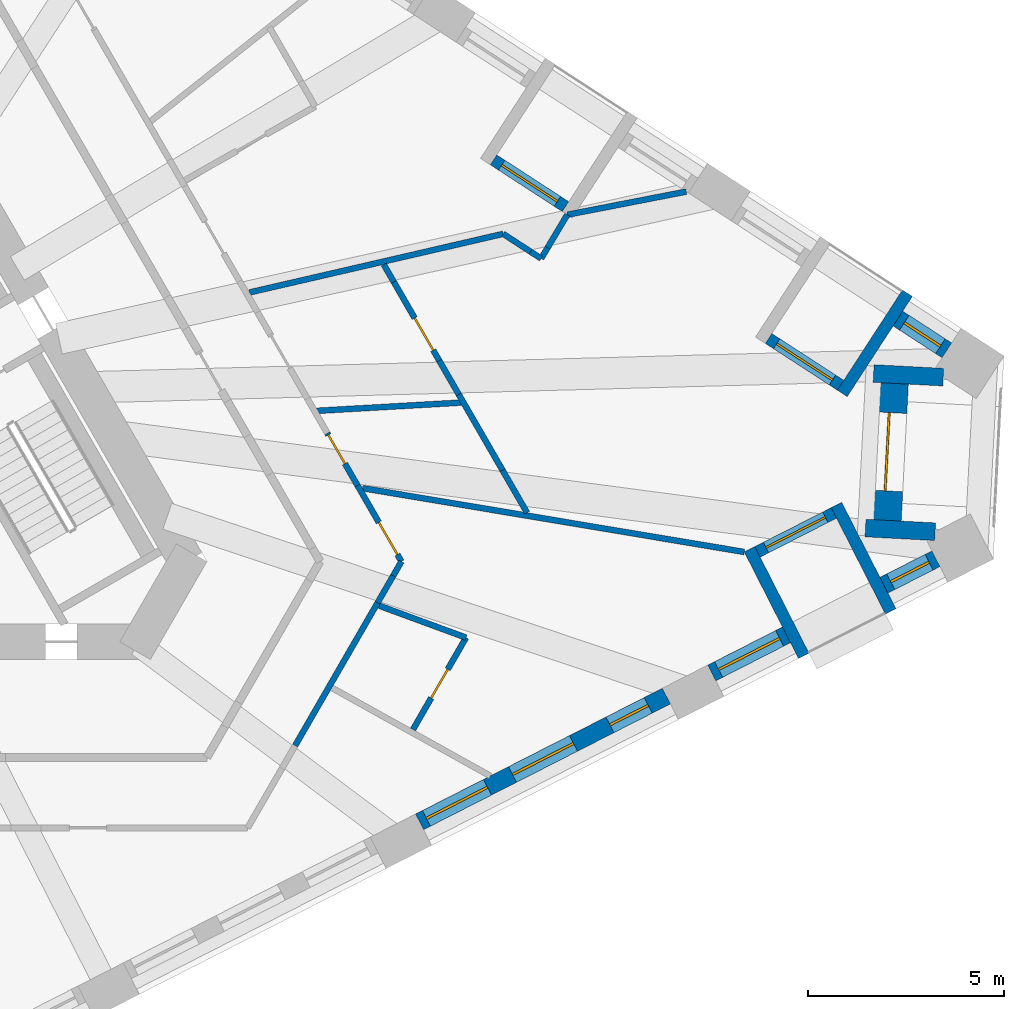
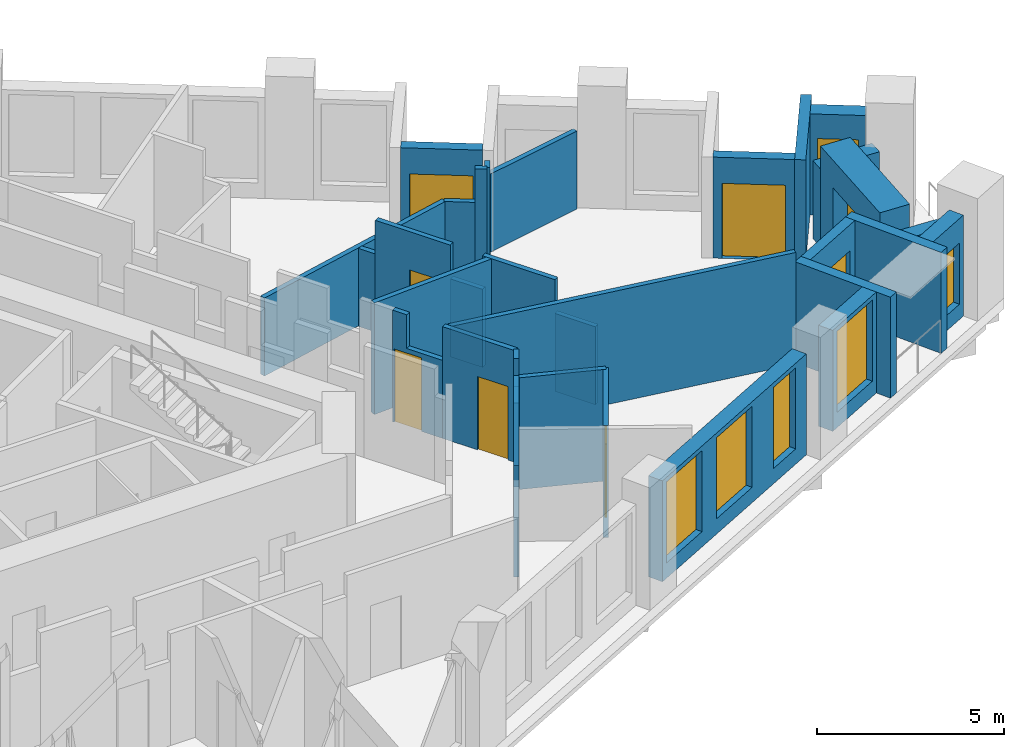
# One storey, part 6 of 13: 33 walls, 8 doors, 6 windows, 14 openings.
"""IFC4 building model written with IfcOpenShell, lengths in metres."""

from ifc_helpers import new_model, si_unit, direction, frame, frame_2d, origin, place, context, subcontext, project, spatial, polyline, rectangle, outline, extrude, material, layer, layer_set, type_object, element, fill, save


model = new_model("IFC4")

# Units and contexts
model_context = context("Model", 3, precision=1e-05, world=origin(), true_north=direction((0.0, 1.0)))
body_context = subcontext(model_context, "Body", "Model", "MODEL_VIEW")
ifc_project = project(units=[si_unit("LENGTHUNIT", "METRE"), si_unit("AREAUNIT", "SQUARE_METRE"), si_unit("VOLUMEUNIT", "CUBIC_METRE"), si_unit("PLANEANGLEUNIT", "RADIAN"), si_unit("MASSUNIT", "GRAM", prefix="KILO")], contexts=[model_context])

# Site, building, storey
site_placement = place(None, origin())
site = spatial("IfcSite", under=ifc_project, at=site_placement, CompositionType="ELEMENT")
building_placement = place(site_placement, origin())
building = spatial("IfcBuilding", under=site, at=building_placement, Name="Tramontana Tower", CompositionType="ELEMENT")
storey_placement = place(building_placement, frame((0.0, 0.0, 137.60009765625)))
storey = spatial("IfcBuildingStorey", under=building, at=storey_placement, Name="L31", CompositionType="ELEMENT", Elevation=137.60009765625)

# Wall, openings, windows
ifc_material_1 = material(Name="Precast concrete 60 MPa", Category="concrete")
ifc_layer_1 = layer(ifc_material_1, 0.449951171875)
ifc_layer_set_1 = layer_set([ifc_layer_1], Name="Precast concrete 60 MPa, 450 mm")
wall_type_1 = type_object("IfcWallType", Name="EW1 Stone-faced precast wall 450", PredefinedType="SOLIDWALL", material=ifc_layer_set_1)
wall_1_placement = place(storey_placement, frame((15.6767578125, -10.8955078125, 0.0), z_axis=(0.0, 0.0, 1.0), x_axis=(0.891004189171, 0.45399508244, 0.0)))
wall_1 = element("IfcWall", 1, at=wall_1_placement, inside=storey, type_object=wall_type_1, Name="External wall L31 face 1 bay 5", PredefinedType="SOLIDWALL", context=body_context, shape_type="SweptSolid", body=[
    extrude(rectangle(XDim=7.071533203125, YDim=0.449951171875, at=frame_2d((3.53564453125, 0.0))), origin(), (0.0, 0.0, 1.0), 3.2998046875),
])
opening_1_placement = place(wall_1_placement, frame((0.1953125, 0.0, 0.5)))
opening_1 = element("IfcOpeningElement", 2, at=opening_1_placement, cuts=wall_1, Name="Opening M2", PredefinedType="OPENING", context=body_context, shape_type="SweptSolid", body=[
    extrude(rectangle(XDim=1.75, YDim=2.64990234375, at=frame_2d((0.875, 1.324951171875))), frame((0.0, 0.23486328125, 0.0), z_axis=(0.0, -1.0, 0.0), x_axis=(1.0, 0.0, 0.0)), (0.0, 0.0, 1.0), 0.469970703125),
])
opening_2_placement = place(wall_1_placement, frame((2.660888671875, 0.0, 0.5)))
opening_2 = element("IfcOpeningElement", 3, at=opening_2_placement, cuts=wall_1, Name="Opening M2", PredefinedType="OPENING", context=body_context, shape_type="SweptSolid", body=[
    extrude(rectangle(XDim=1.75, YDim=2.64990234375, at=frame_2d((0.875, 1.324951171875))), frame((0.0, 0.23486328125, 0.0), z_axis=(0.0, -1.0, 0.0), x_axis=(1.0, 0.0, 0.0)), (0.0, 0.0, 1.0), 0.469970703125),
])
opening_3_placement = place(wall_1_placement, frame((5.451416015625, 0.0, 0.5)))
opening_3 = element("IfcOpeningElement", 4, at=opening_3_placement, cuts=wall_1, Name="Opening N2", PredefinedType="OPENING", context=body_context, shape_type="SweptSolid", body=[
    extrude(rectangle(XDim=1.10009765625, YDim=2.64990234375, at=frame_2d((0.550048828125, 1.324951171875))), frame((0.0, 0.23486328125, 0.0), z_axis=(0.0, -1.0, 0.0), x_axis=(1.0, 0.0, 0.0)), (0.0, 0.0, 1.0), 0.469970703125),
])
ifc_material_2 = material(Name="Aluminum frame, double glazing unit", Category="aluminium")
window_type_1 = type_object("IfcWindowType", Name="M2 Window 1.75 x 2.65", PartitioningType="SINGLE_PANEL", PredefinedType="WINDOW", material=ifc_material_2)
window_1_placement = place(opening_1_placement, origin())
window_1 = element("IfcWindow", 5, at=window_1_placement, inside=storey, type_object=window_type_1, Name="Window M2 L31 face 1 module 13", OverallHeight=2.64990234375, OverallWidth=1.75, PartitioningType="SINGLE_PANEL", PredefinedType="WINDOW", context=body_context, shape_type="SweptSolid", body=[
    extrude(rectangle(XDim=1.75, YDim=2.64990234375, at=frame_2d((0.875, 1.324951171875))), frame((0.0, 0.030029296875, 0.0), z_axis=(0.0, -1.0, 0.0), x_axis=(1.0, 0.0, 0.0)), (0.0, 0.0, 1.0), 0.06005859375),
])
fill(opening_1, window_1)
window_2_placement = place(opening_2_placement, origin())
window_2 = element("IfcWindow", 6, at=window_2_placement, inside=storey, type_object=window_type_1, Name="Window M2 L31 face 1 module 14", OverallHeight=2.64990234375, OverallWidth=1.75, PartitioningType="SINGLE_PANEL", PredefinedType="WINDOW", context=body_context, shape_type="SweptSolid", body=[
    extrude(rectangle(XDim=1.75, YDim=2.64990234375, at=frame_2d((0.875, 1.324951171875))), frame((0.0, 0.030029296875, 0.0), z_axis=(0.0, -1.0, 0.0), x_axis=(1.0, 0.0, 0.0)), (0.0, 0.0, 1.0), 0.06005859375),
])
fill(opening_2, window_2)
ifc_material_3 = material(Name="Aluminum frame, double glazing unit", Category="aluminium")
window_type_2 = type_object("IfcWindowType", Name="N2 Window 1.1 x 2.65", PartitioningType="SINGLE_PANEL", PredefinedType="WINDOW", material=ifc_material_3)
window_3_placement = place(opening_3_placement, origin())
window_3 = element("IfcWindow", 7, at=window_3_placement, inside=storey, type_object=window_type_2, Name="Window N2 L31 face 1 module 15", OverallHeight=2.64990234375, OverallWidth=1.10009765625, PartitioningType="SINGLE_PANEL", PredefinedType="WINDOW", context=body_context, shape_type="SweptSolid", body=[
    extrude(rectangle(XDim=1.10009765625, YDim=2.64990234375, at=frame_2d((0.550048828125, 1.324951171875))), frame((0.0, 0.030029296875, 0.0), z_axis=(0.0, -1.0, 0.0), x_axis=(1.0, 0.0, 0.0)), (0.0, 0.0, 1.0), 0.06005859375),
])
fill(opening_3, window_3)

# Wall, opening, window
wall_2_placement = place(storey_placement, frame((23.1357421875, -7.094970703125, 0.0), z_axis=(0.0, 0.0, 1.0), x_axis=(0.890979432498, 0.454043666254, 0.0)))
wall_2 = element("IfcWall", 8, at=wall_2_placement, inside=storey, type_object=wall_type_1, Name="External wall L31 face 1 bay 6", PredefinedType="SOLIDWALL", context=body_context, shape_type="SweptSolid", body=[
    extrude(rectangle(XDim=2.140625, YDim=0.449951171875, at=frame_2d((1.0703125, 0.0))), origin(), (0.0, 0.0, 1.0), 3.2998046875),
])
opening_4_placement = place(wall_2_placement, frame((0.1953125, 0.0, 0.5)))
opening_4 = element("IfcOpeningElement", 9, at=opening_4_placement, cuts=wall_2, Name="Opening M2", PredefinedType="OPENING", context=body_context, shape_type="SweptSolid", body=[
    extrude(rectangle(XDim=1.75, YDim=2.64990234375, at=frame_2d((0.875, 1.324951171875))), frame((0.0, 0.23486328125, 0.0), z_axis=(0.0, -1.0, 0.0), x_axis=(1.0, 0.0, 0.0)), (0.0, 0.0, 1.0), 0.469970703125),
])
window_4_placement = place(opening_4_placement, origin())
window_4 = element("IfcWindow", 10, at=window_4_placement, inside=storey, type_object=window_type_1, Name="Window M2 L31 face 1 module 16", OverallHeight=2.64990234375, OverallWidth=1.75, PartitioningType="SINGLE_PANEL", PredefinedType="WINDOW", context=body_context, shape_type="SweptSolid", body=[
    extrude(rectangle(XDim=1.75, YDim=2.64990234375, at=frame_2d((0.875, 1.324951171875))), frame((0.0, 0.030029296875, 0.0), z_axis=(0.0, -1.0, 0.0), x_axis=(1.0, 0.0, 0.0)), (0.0, 0.0, 1.0), 0.06005859375),
])
fill(opening_4, window_4)

wall_3_placement = place(storey_placement, frame((27.529296875, -4.856201171875, 0.0), z_axis=(0.0, 0.0, 1.0), x_axis=(0.890994495378, 0.454014106836, 0.0)))
wall_3 = element("IfcWall", 11, at=wall_3_placement, inside=storey, type_object=wall_type_1, Name="External wall L31 face 1 bay 6", PredefinedType="SOLIDWALL", context=body_context, shape_type="SweptSolid", body=[
    extrude(rectangle(XDim=1.49072265625, YDim=0.449951171875, at=frame_2d((0.745361328125, 0.0))), origin(), (0.0, 0.0, 1.0), 3.2998046875),
])
opening_5_placement = place(wall_3_placement, frame((0.1953125, 0.0, 0.5)))
opening_5 = element("IfcOpeningElement", 12, at=opening_5_placement, cuts=wall_3, Name="Opening N2L", PredefinedType="OPENING", context=body_context, shape_type="SweptSolid", body=[
    extrude(rectangle(XDim=1.10009765625, YDim=2.0, at=frame_2d((0.550048828125, 1.0))), frame((0.0, 0.23486328125, 0.0), z_axis=(0.0, -1.0, 0.0), x_axis=(1.0, 0.0, 0.0)), (0.0, 0.0, 1.0), 0.469970703125),
])
ifc_material_4 = material(Name="Aluminum frame, double glazing unit", Category="aluminium")
window_type_3 = type_object("IfcWindowType", Name="N2L Window 1.1 x 2", PartitioningType="SINGLE_PANEL", PredefinedType="WINDOW", material=ifc_material_4)
window_5_placement = place(opening_5_placement, origin())
window_5 = element("IfcWindow", 13, at=window_5_placement, inside=storey, type_object=window_type_3, Name="Window N2L L31 face 1 module 18", OverallHeight=2.0, OverallWidth=1.10009765625, PartitioningType="SINGLE_PANEL", PredefinedType="WINDOW", context=body_context, shape_type="SweptSolid", body=[
    extrude(rectangle(XDim=1.10009765625, YDim=2.0, at=frame_2d((0.550048828125, 1.0))), frame((0.0, 0.030029296875, 0.0), z_axis=(0.0, -1.0, 0.0), x_axis=(1.0, 0.0, 0.0)), (0.0, 0.0, 1.0), 0.06005859375),
])
fill(opening_5, window_5)

wall_4_placement = place(storey_placement, frame((29.13623046875, 1.14013671875, 0.0), z_axis=(0.0, 0.0, 1.0), x_axis=(-0.838668089672, 0.544642851203, 0.0)))
wall_4 = element("IfcWall", 14, at=wall_4_placement, inside=storey, type_object=wall_type_1, Name="External wall L31 face 2 bay 1", PredefinedType="SOLIDWALL", context=body_context, shape_type="SweptSolid", body=[
    extrude(rectangle(XDim=1.490478515625, YDim=0.449951171875, at=frame_2d((0.7451171875, 0.0))), origin(), (0.0, 0.0, 1.0), 3.2998046875),
])
opening_6_placement = place(wall_4_placement, frame((0.1953125, 0.0, 0.5)))
opening_6 = element("IfcOpeningElement", 15, at=opening_6_placement, cuts=wall_4, Name="Opening N2L", PredefinedType="OPENING", context=body_context, shape_type="SweptSolid", body=[
    extrude(rectangle(XDim=1.10009765625, YDim=2.0, at=frame_2d((0.550048828125, 1.0))), frame((0.0, 0.23486328125, 0.0), z_axis=(0.0, -1.0, 0.0), x_axis=(1.0, 0.0, 0.0)), (0.0, 0.0, 1.0), 0.469970703125),
])
window_6_placement = place(opening_6_placement, origin())
window_6 = element("IfcWindow", 16, at=window_6_placement, inside=storey, type_object=window_type_3, Name="Window N2L L31 face 2 module 1", OverallHeight=2.0, OverallWidth=1.10009765625, PartitioningType="SINGLE_PANEL", PredefinedType="WINDOW", context=body_context, shape_type="SweptSolid", body=[
    extrude(rectangle(XDim=1.10009765625, YDim=2.0, at=frame_2d((0.550048828125, 1.0))), frame((0.0, 0.030029296875, 0.0), z_axis=(0.0, -1.0, 0.0), x_axis=(1.0, 0.0, 0.0)), (0.0, 0.0, 1.0), 0.06005859375),
])
fill(opening_6, window_6)

# Walls
for number, where, z_axis, x_axis, name in (
    (17, (29.04296875, 0.45556640625, 0.0), (0.0, 0.0, 1.0), (-0.998625399692, 0.05241479839, 0.0), "Corner loggia side wall L31 K32l"),
    (18, (28.836181640625, -3.489013671875, 0.0), (0.0, 0.0, 1.0), (-0.998625399692, 0.05241479839, 0.0), "Corner loggia side wall L31 K32r"),
):
    element("IfcWall", number, at=place(storey_placement, frame(where, z_axis=z_axis, x_axis=x_axis)), inside=storey, type_object=wall_type_1, Name=name, PredefinedType="SOLIDWALL", context=body_context, shape_type="SweptSolid", body=[
        extrude(rectangle(XDim=1.779296875, YDim=0.449951171875, at=frame_2d((0.8896484375, 0.0))), origin(), (0.0, 0.0, 1.0), 2.5498046875),
    ])

# Wall, opening, door
ifc_material_5 = material(Name="Precast concrete 60 MPa", Category="concrete")
ifc_layer_2 = layer(ifc_material_5, 0.89990234375)
ifc_layer_set_2 = layer_set([ifc_layer_2], Name="EW2 Stone-faced corner loggia wall 900")
wall_type_2 = type_object("IfcWallType", Name="EW2 Stone-faced corner loggia wall 900", PredefinedType="SOLIDWALL", material=ifc_layer_set_2)
wall_5_placement = place(storey_placement, frame((27.70361328125, 0.300537109375, 0.0), z_axis=(0.0, 0.0, 1.0), x_axis=(-0.052317189757, -0.998630518088, 0.0)))
wall_5 = element("IfcWall", 19, at=wall_5_placement, inside=storey, type_object=wall_type_2, Name="Corner loggia wall L31 K32", PredefinedType="SOLIDWALL", context=body_context, shape_type="SweptSolid", body=[
    extrude(rectangle(XDim=3.5, YDim=0.89990234375, at=frame_2d((1.75, 0.0))), origin(), (0.0, 0.0, 1.0), 3.2998046875),
])
opening_7_placement = place(wall_5_placement, frame((0.75, 0.0, 0.0)))
opening_7 = element("IfcOpeningElement", 20, at=opening_7_placement, cuts=wall_5, Name="Opening BD-32C", PredefinedType="OPENING", context=body_context, shape_type="SweptSolid", body=[
    extrude(rectangle(XDim=2.0, YDim=2.39990234375, at=frame_2d((1.0, 1.199951171875))), frame((0.0, 0.4599609375, 0.0), z_axis=(0.0, -1.0, 0.0), x_axis=(1.0, 0.0, 0.0)), (0.0, 0.0, 1.0), 0.919921875),
])
ifc_material_6 = material(Name="Aluminum frame, double glazing unit", Category="aluminium")
door_type_1 = type_object("IfcDoorType", Name="BC1 Sliding door 2 x 2.4", OperationType="SLIDING_TO_LEFT", PredefinedType="DOOR", material=ifc_material_6)
door_1_placement = place(opening_7_placement, origin())
door_1 = element("IfcDoor", 21, at=door_1_placement, inside=storey, type_object=door_type_1, Name="Corner loggia door L31 K32", OperationType="SLIDING_TO_LEFT", OverallHeight=2.39990234375, OverallWidth=2.0, PredefinedType="DOOR", context=body_context, shape_type="SweptSolid", body=[
    extrude(rectangle(XDim=2.0, YDim=2.39990234375, at=frame_2d((1.0, 1.199951171875))), frame((0.0, 0.02490234375, 0.0), z_axis=(0.0, -1.0, 0.0), x_axis=(1.0, 0.0, 0.0)), (0.0, 0.0, 1.0), 0.050048828125),
])
fill(opening_7, door_1)

ifc_material_7 = material(Name="Precast concrete 60 MPa", Category="concrete")
ifc_layer_3 = layer(ifc_material_7, 0.300048828125)
ifc_layer_set_3 = layer_set([ifc_layer_3], Name="LW1 Stone-faced loggia wall 300")
wall_type_3 = type_object("IfcWallType", Name="LW1 Stone-faced loggia wall 300", PredefinedType="SOLIDWALL", material=ifc_layer_set_3)
wall_6_placement = place(storey_placement, frame((24.30029296875, -4.00439453125, 0.0), z_axis=(0.0, 0.0, 1.0), x_axis=(0.891013126725, 0.4539775413, 0.0)))
wall_6 = element("IfcWall", 22, at=wall_6_placement, inside=storey, type_object=wall_type_3, Name="Loggia wall L31 G3S1.16", PredefinedType="SOLIDWALL", context=body_context, shape_type="SweptSolid", body=[
    extrude(rectangle(XDim=2.1904296875, YDim=0.300048828125, at=frame_2d((1.09521484375, 0.0))), origin(), (0.0, 0.0, 1.0), 3.2998046875),
])
opening_8_placement = place(wall_6_placement, frame((0.245361328125, 0.0, 0.0)))
opening_8 = element("IfcOpeningElement", 23, at=opening_8_placement, cuts=wall_6, Name="Opening BD-3S1-16", PredefinedType="OPENING", context=body_context, shape_type="SweptSolid", body=[
    extrude(rectangle(XDim=1.699951171875, YDim=2.449951171875, at=frame_2d((0.85009765625, 1.22509765625))), frame((0.0, 0.159912109375, 0.0), z_axis=(0.0, -1.0, 0.0), x_axis=(1.0, 0.0, 0.0)), (0.0, 0.0, 1.0), 0.320068359375),
])
ifc_material_8 = material(Name="Aluminum frame, double glazing unit", Category="aluminium")
door_type_2 = type_object("IfcDoorType", Name="BD2 Sliding door 1.7 x 2.45", OperationType="SLIDING_TO_LEFT", PredefinedType="DOOR", material=ifc_material_8)
door_2_placement = place(opening_8_placement, origin())
door_2 = element("IfcDoor", 24, at=door_2_placement, inside=storey, type_object=door_type_2, Name="Loggia door L31 G3S1.16", OperationType="SLIDING_TO_LEFT", OverallHeight=2.449951171875, OverallWidth=1.699951171875, PredefinedType="DOOR", context=body_context, shape_type="SweptSolid", body=[
    extrude(rectangle(XDim=1.699951171875, YDim=2.449951171875, at=frame_2d((0.85009765625, 1.22509765625))), frame((0.0, 0.02490234375, 0.0), z_axis=(0.0, -1.0, 0.0), x_axis=(1.0, 0.0, 0.0)), (0.0, 0.0, 1.0), 0.050048828125),
])
fill(opening_8, door_2)

# Walls
wall_7_placement = place(storey_placement, frame((25.483154296875, -6.656494140625, 0.0), z_axis=(0.0, 0.0, 1.0), x_axis=(-0.453988129332, 0.891007731968, 0.0)))
element("IfcWall", 25, at=wall_7_placement, inside=storey, type_object=wall_type_3, Name="Loggia return L31 G3S1.16a", PredefinedType="SOLIDWALL", context=body_context, shape_type="SweptSolid", body=[
    extrude(rectangle(XDim=3.05029296875, YDim=0.300048828125, at=frame_2d((1.525146484375, 0.0))), origin(), (0.0, 0.0, 1.0), 3.2998046875),
])
wall_8_placement = place(storey_placement, frame((27.7021484375, -5.525634765625, 0.0), z_axis=(0.0, 0.0, 1.0), x_axis=(-0.453956959009, 0.891023613249, 0.0)))
element("IfcWall", 26, at=wall_8_placement, inside=storey, type_object=wall_type_3, Name="Loggia return L31 G3S1.16b", PredefinedType="SOLIDWALL", context=body_context, shape_type="SweptSolid", body=[
    extrude(rectangle(XDim=3.0498046875, YDim=0.300048828125, at=frame_2d((1.52490234375, 0.0))), origin(), (0.0, 0.0, 1.0), 3.2998046875),
])

# Wall, opening, door
wall_9_placement = place(storey_placement, frame((26.4228515625, 0.249267578125, 0.0), z_axis=(0.0, 0.0, 1.0), x_axis=(-0.838659986147, 0.544655329209, 0.0)))
wall_9 = element("IfcWall", 27, at=wall_9_placement, inside=storey, type_object=wall_type_3, Name="Loggia wall L31 G3S2.1", PredefinedType="SOLIDWALL", context=body_context, shape_type="SweptSolid", body=[
    extrude(rectangle(XDim=2.190673828125, YDim=0.300048828125, at=frame_2d((1.09521484375, 0.0))), origin(), (0.0, 0.0, 1.0), 3.2998046875),
])
opening_9_placement = place(wall_9_placement, frame((0.245361328125, 0.0, 0.0)))
opening_9 = element("IfcOpeningElement", 28, at=opening_9_placement, cuts=wall_9, Name="Opening BD-3S2-01", PredefinedType="OPENING", context=body_context, shape_type="SweptSolid", body=[
    extrude(rectangle(XDim=1.699951171875, YDim=2.449951171875, at=frame_2d((0.85009765625, 1.22509765625))), frame((0.0, 0.159912109375, 0.0), z_axis=(0.0, -1.0, 0.0), x_axis=(1.0, 0.0, 0.0)), (0.0, 0.0, 1.0), 0.320068359375),
])
door_3_placement = place(opening_9_placement, origin())
door_3 = element("IfcDoor", 29, at=door_3_placement, inside=storey, type_object=door_type_2, Name="Loggia door L31 G3S2.1", OperationType="SLIDING_TO_LEFT", OverallHeight=2.449951171875, OverallWidth=1.699951171875, PredefinedType="DOOR", context=body_context, shape_type="SweptSolid", body=[
    extrude(rectangle(XDim=1.699951171875, YDim=2.449951171875, at=frame_2d((0.85009765625, 1.22509765625))), frame((0.0, 0.02490234375, 0.0), z_axis=(0.0, -1.0, 0.0), x_axis=(1.0, 0.0, 0.0)), (0.0, 0.0, 1.0), 0.050048828125),
])
fill(opening_9, door_3)

# Wall
wall_10_placement = place(storey_placement, frame((28.1279296875, 2.599853515625, 0.0), z_axis=(0.0, 0.0, 1.0), x_axis=(-0.544611292451, -0.838688583525, 0.0)))
element("IfcWall", 30, at=wall_10_placement, inside=storey, type_object=wall_type_3, Name="Loggia return L31 G3S2.1a", PredefinedType="SOLIDWALL", context=body_context, shape_type="SweptSolid", body=[
    extrude(rectangle(XDim=3.050048828125, YDim=0.300048828125, at=frame_2d((1.52490234375, 0.0))), origin(), (0.0, 0.0, 1.0), 3.2998046875),
])

# Wall, opening, door
wall_11_placement = place(storey_placement, frame((19.40185546875, 4.808837890625, 0.0), z_axis=(0.0, 0.0, 1.0), x_axis=(-0.838659986147, 0.544655329209, 0.0)))
wall_11 = element("IfcWall", 31, at=wall_11_placement, inside=storey, type_object=wall_type_3, Name="Loggia wall L31 G3S2.4", PredefinedType="SOLIDWALL", context=body_context, shape_type="SweptSolid", body=[
    extrude(rectangle(XDim=2.190673828125, YDim=0.300048828125, at=frame_2d((1.09521484375, 0.0))), origin(), (0.0, 0.0, 1.0), 3.2998046875),
])
opening_10_placement = place(wall_11_placement, frame((0.245361328125, 0.0, 0.0)))
opening_10 = element("IfcOpeningElement", 32, at=opening_10_placement, cuts=wall_11, Name="Opening BD-3S2-04", PredefinedType="OPENING", context=body_context, shape_type="SweptSolid", body=[
    extrude(rectangle(XDim=1.699951171875, YDim=2.449951171875, at=frame_2d((0.85009765625, 1.22509765625))), frame((0.0, 0.159912109375, 0.0), z_axis=(0.0, -1.0, 0.0), x_axis=(1.0, 0.0, 0.0)), (0.0, 0.0, 1.0), 0.320068359375),
])
door_4_placement = place(opening_10_placement, origin())
door_4 = element("IfcDoor", 33, at=door_4_placement, inside=storey, type_object=door_type_2, Name="Loggia door L31 G3S2.4", OperationType="SLIDING_TO_LEFT", OverallHeight=2.449951171875, OverallWidth=1.699951171875, PredefinedType="DOOR", context=body_context, shape_type="SweptSolid", body=[
    extrude(rectangle(XDim=1.699951171875, YDim=2.449951171875, at=frame_2d((0.85009765625, 1.22509765625))), frame((0.0, 0.02490234375, 0.0), z_axis=(0.0, -1.0, 0.0), x_axis=(1.0, 0.0, 0.0)), (0.0, 0.0, 1.0), 0.050048828125),
])
fill(opening_10, door_4)

ifc_material_9 = material(Name="Gypsum board partition")
ifc_layer_4 = layer(ifc_material_9, 0.14990234375)
ifc_layer_set_4 = layer_set([ifc_layer_4], Name="PARTITION 150")
wall_type_4 = type_object("IfcWallType", Name="PARTITION 150", PredefinedType="PARTITIONING", material=ifc_layer_set_4)
wall_12_placement = place(storey_placement, frame((13.322021484375, -0.974365234375, 0.0), z_axis=(0.0, 0.0, 1.0), x_axis=(0.5000008632, -0.866024905415, 0.0)))
wall_12 = element("IfcWall", 34, at=wall_12_placement, inside=storey, type_object=wall_type_4, Name="Wall v31-pw29-9", PredefinedType="PARTITIONING", context=body_context, shape_type="SweptSolid", body=[
    extrude(outline(polyline([(0.0, 0.0), (1.54345703125, 0.0), (1.54345703125, 2.5498046875), (0.439697265625, 2.5498046875), (0.439697265625, 3.64990234375), (0.0, 3.64990234375), (0.0, 0.0)])), frame((0.0, 0.074951171875, 0.0), z_axis=(0.0, -1.0, 0.0), x_axis=(1.0, 0.0, 0.0)), (0.0, 0.0, 1.0), 0.14990234375),
])
opening_11_placement = place(wall_12_placement, frame((0.050048828125, 0.0, 0.0)))
opening_11 = element("IfcOpeningElement", 35, at=opening_11_placement, cuts=wall_12, Name="Opening B3B-18", PredefinedType="OPENING", context=body_context, shape_type="SweptSolid", body=[
    extrude(rectangle(XDim=0.85009765625, YDim=2.39990234375, at=frame_2d((0.425048828125, 1.199951171875))), frame((0.0, 0.0849609375, 0.0), z_axis=(0.0, -1.0, 0.0), x_axis=(1.0, 0.0, 0.0)), (0.0, 0.0, 1.0), 0.169921875),
])
ifc_material_10 = material(Name="Painted timber", Category="wood")
door_type_3 = type_object("IfcDoorType", Name="DOOR BATH 850", OperationType="SINGLE_SWING_LEFT", PredefinedType="DOOR", material=ifc_material_10)
door_5_placement = place(opening_11_placement, origin())
door_5 = element("IfcDoor", 36, at=door_5_placement, inside=storey, type_object=door_type_3, Name="Door B3B-18", OperationType="SINGLE_SWING_RIGHT", OverallHeight=2.39990234375, OverallWidth=0.85009765625, PredefinedType="DOOR", context=body_context, shape_type="SweptSolid", body=[
    extrude(rectangle(XDim=0.85009765625, YDim=2.39990234375, at=frame_2d((0.425048828125, 1.199951171875))), frame((0.0, 0.02490234375, 0.0), z_axis=(0.0, -1.0, 0.0), x_axis=(1.0, 0.0, 0.0)), (0.0, 0.0, 1.0), 0.050048828125),
])
fill(opening_11, door_5)

wall_13_placement = place(storey_placement, frame((14.09375, -2.31103515625, 0.0), z_axis=(0.0, 0.0, 1.0), x_axis=(0.499974169222, -0.866040316677, 0.0)))
wall_13 = element("IfcWall", 37, at=wall_13_placement, inside=storey, type_object=wall_type_4, Name="Wall v31-pw29-10", PredefinedType="PARTITIONING", context=body_context, shape_type="SweptSolid", body=[
    extrude(rectangle(XDim=2.23876953125, YDim=0.14990234375, at=frame_2d((1.119384765625, 0.0))), origin(), (0.0, 0.0, 1.0), 3.64990234375),
])
opening_12_placement = place(wall_13_placement, frame((1.08447265625, 0.0, 0.0)))
opening_12 = element("IfcOpeningElement", 38, at=opening_12_placement, cuts=wall_13, Name="Opening B3B-19", PredefinedType="OPENING", context=body_context, shape_type="SweptSolid", body=[
    extrude(rectangle(XDim=0.949951171875, YDim=2.39990234375, at=frame_2d((0.47509765625, 1.199951171875))), frame((0.0, 0.0849609375, 0.0), z_axis=(0.0, -1.0, 0.0), x_axis=(1.0, 0.0, 0.0)), (0.0, 0.0, 1.0), 0.169921875),
])
ifc_material_11 = material(Name="Painted timber", Category="wood")
door_type_4 = type_object("IfcDoorType", Name="DOOR ROOM 950", OperationType="SINGLE_SWING_LEFT", PredefinedType="DOOR", material=ifc_material_11)
door_6_placement = place(opening_12_placement, origin())
door_6 = element("IfcDoor", 39, at=door_6_placement, inside=storey, type_object=door_type_4, Name="Door B3B-19", OperationType="SINGLE_SWING_LEFT", OverallHeight=2.39990234375, OverallWidth=0.949951171875, PredefinedType="DOOR", context=body_context, shape_type="SweptSolid", body=[
    extrude(rectangle(XDim=0.949951171875, YDim=2.39990234375, at=frame_2d((0.47509765625, 1.199951171875))), frame((0.0, 0.02490234375, 0.0), z_axis=(0.0, -1.0, 0.0), x_axis=(1.0, 0.0, 0.0)), (0.0, 0.0, 1.0), 0.050048828125),
])
fill(opening_12, door_6)

# Walls
wall_14_placement = place(storey_placement, frame((11.3349609375, 2.617431640625, 0.0), z_axis=(0.0, 0.0, 1.0), x_axis=(0.974350317448, 0.225036572338, 0.0)))
element("IfcWall", 40, at=wall_14_placement, inside=storey, type_object=wall_type_4, Name="Wall v31-pw34-0", PredefinedType="PARTITIONING", context=body_context, shape_type="SweptSolid", body=[
    extrude(rectangle(XDim=6.64599609375, YDim=0.14990234375, at=frame_2d((3.322998046875, 0.0))), origin(), (0.0, 0.0, 1.0), 2.5498046875),
])
wall_15_placement = place(storey_placement, frame((14.64794921875, -5.379150390625, 0.0), z_axis=(0.0, 0.0, 1.0), x_axis=(0.938688895459, -0.344765365925, 0.0)))
element("IfcWall", 41, at=wall_15_placement, inside=storey, type_object=wall_type_4, Name="Wall v31-pw38", PredefinedType="PARTITIONING", context=body_context, shape_type="SweptSolid", body=[
    extrude(rectangle(XDim=2.359619140625, YDim=0.14990234375, at=frame_2d((1.1796875, 0.0))), origin(), (0.0, 0.0, 1.0), 3.64990234375),
])
wall_16_placement = place(storey_placement, frame((14.76171875, 3.331787109375, 0.0), z_axis=(0.0, 0.0, 1.0), x_axis=(0.500024172624, -0.866011447264, 0.0)))
element("IfcWall", 42, at=wall_16_placement, inside=storey, type_object=wall_type_4, Name="Wall v31-pw39-0", PredefinedType="PARTITIONING", context=body_context, shape_type="SweptSolid", body=[
    extrude(rectangle(XDim=0.513671875, YDim=0.14990234375, at=frame_2d((0.2568359375, 0.0))), origin(), (0.0, 0.0, 1.0), 2.5498046875),
])

# Wall, opening, door
wall_17_placement = place(storey_placement, frame((15.0185546875, 2.886962890625, 0.0), z_axis=(0.0, 0.0, 1.0), x_axis=(0.50006548692, -0.865987591592, 0.0)))
wall_17 = element("IfcWall", 43, at=wall_17_placement, inside=storey, type_object=wall_type_4, Name="Wall v31-pw39-1", PredefinedType="PARTITIONING", context=body_context, shape_type="SweptSolid", body=[
    extrude(rectangle(XDim=2.320556640625, YDim=0.14990234375, at=frame_2d((1.16015625, 0.0))), origin(), (0.0, 0.0, 1.0), 3.64990234375),
])
opening_13_placement = place(wall_17_placement, frame((1.064208984375, 0.0, 0.0)))
opening_13 = element("IfcOpeningElement", 44, at=opening_13_placement, cuts=wall_17, Name="Opening B3B-25", PredefinedType="OPENING", context=body_context, shape_type="SweptSolid", body=[
    extrude(rectangle(XDim=0.949951171875, YDim=2.39990234375, at=frame_2d((0.47509765625, 1.199951171875))), frame((0.0, 0.0849609375, 0.0), z_axis=(0.0, -1.0, 0.0), x_axis=(1.0, 0.0, 0.0)), (0.0, 0.0, 1.0), 0.169921875),
])
door_7_placement = place(opening_13_placement, origin())
door_7 = element("IfcDoor", 45, at=door_7_placement, inside=storey, type_object=door_type_4, Name="Door B3B-25", OperationType="SINGLE_SWING_LEFT", OverallHeight=2.39990234375, OverallWidth=0.949951171875, PredefinedType="DOOR", context=body_context, shape_type="SweptSolid", body=[
    extrude(rectangle(XDim=0.949951171875, YDim=2.39990234375, at=frame_2d((0.47509765625, 1.199951171875))), frame((0.0, 0.02490234375, 0.0), z_axis=(0.0, -1.0, 0.0), x_axis=(1.0, 0.0, 0.0)), (0.0, 0.0, 1.0), 0.050048828125),
])
fill(opening_13, door_7)

# Walls
wall_18_placement = place(storey_placement, frame((16.178955078125, 0.87744140625, 0.0), z_axis=(0.0, 0.0, 1.0), x_axis=(0.499991453095, -0.866030338286, 0.0)))
element("IfcWall", 46, at=wall_18_placement, inside=storey, type_object=wall_type_4, Name="Wall v31-pw39-2", PredefinedType="PARTITIONING", context=body_context, shape_type="SweptSolid", body=[
    extrude(rectangle(XDim=0.9951171875, YDim=0.14990234375, at=frame_2d((0.49755859375, 0.0))), origin(), (0.0, 0.0, 1.0), 2.5498046875),
])
wall_19_placement = place(storey_placement, frame((16.676513671875, 0.015625, 0.0), z_axis=(0.0, 0.0, 1.0), x_axis=(0.499958946799, -0.866049104564, 0.0)))
element("IfcWall", 47, at=wall_19_placement, inside=storey, type_object=wall_type_4, Name="Wall v31-pw39-3", PredefinedType="PARTITIONING", context=body_context, shape_type="SweptSolid", body=[
    extrude(rectangle(XDim=2.234130859375, YDim=0.14990234375, at=frame_2d((1.1171875, 0.0))), origin(), (0.0, 0.0, 1.0), 3.64990234375),
])
wall_20_placement = place(storey_placement, frame((17.79345703125, -1.919189453125, 0.0), z_axis=(0.0, 0.0, 1.0), x_axis=(0.500059962755, -0.865990781504, 0.0)))
element("IfcWall", 48, at=wall_20_placement, inside=storey, type_object=wall_type_4, Name="Wall v31-pw39-4", PredefinedType="PARTITIONING", context=body_context, shape_type="SweptSolid", body=[
    extrude(rectangle(XDim=1.252197265625, YDim=0.14990234375, at=frame_2d((0.6259765625, 0.0))), origin(), (0.0, 0.0, 1.0), 2.5498046875),
])
wall_21_placement = place(storey_placement, frame((15.213134765625, -4.25, 0.0), z_axis=(0.0, 0.0, 1.0), x_axis=(-0.499922110319, -0.866070368743, 0.0)))
element("IfcWall", 49, at=wall_21_placement, inside=storey, type_object=wall_type_4, Name="Wall v31-pw40-0", PredefinedType="PARTITIONING", context=body_context, shape_type="SweptSolid", body=[
    extrude(rectangle(XDim=0.42333984375, YDim=0.14990234375, at=frame_2d((0.211669921875, 0.0))), origin(), (0.0, 0.0, 1.0), 3.64990234375),
])
wall_22_placement = place(storey_placement, frame((15.00146484375, -4.61669921875, 0.0), z_axis=(0.0, 0.0, 1.0), x_axis=(-0.49989173393, -0.866087902207, 0.0)))
element("IfcWall", 50, at=wall_22_placement, inside=storey, type_object=wall_type_4, Name="Wall v31-pw40-1", PredefinedType="PARTITIONING", context=body_context, shape_type="SweptSolid", body=[
    extrude(rectangle(XDim=0.790771484375, YDim=0.14990234375, at=frame_2d((0.3955078125, 0.0))), origin(), (0.0, 0.0, 1.0), 2.75),
])
wall_23_placement = place(storey_placement, frame((14.606201171875, -5.301513671875, 0.0), z_axis=(0.0, 0.0, 1.0), x_axis=(-0.50004374799, -0.866000144397, 0.0)))
element("IfcWall", 51, at=wall_23_placement, inside=storey, type_object=wall_type_4, Name="Wall v31-pw40-2", PredefinedType="PARTITIONING", context=body_context, shape_type="SweptSolid", body=[
    extrude(rectangle(XDim=4.20947265625, YDim=0.14990234375, at=frame_2d((2.104736328125, 0.0))), origin(), (0.0, 0.0, 1.0), 3.64990234375),
])
wall_24_placement = place(storey_placement, frame((16.79296875, -0.1904296875, 0.0), z_axis=(0.0, 0.0, 1.0), x_axis=(-0.998373005919, -0.057020531853, 0.0)))
element("IfcWall", 52, at=wall_24_placement, inside=storey, type_object=wall_type_4, Name="Wall v31-pw41", PredefinedType="PARTITIONING", context=body_context, shape_type="SweptSolid", body=[
    extrude(rectangle(XDim=3.802001953125, YDim=0.14990234375, at=frame_2d((1.90087890625, 0.0))), origin(), (0.0, 0.0, 1.0), 3.64990234375),
])

# Wall, opening, door
wall_25_placement = place(storey_placement, frame((15.5078125, -8.53955078125, 0.0), z_axis=(0.0, 0.0, 1.0), x_axis=(0.499995396135, 0.866028061811, 0.0)))
wall_25 = element("IfcWall", 53, at=wall_25_placement, inside=storey, type_object=wall_type_4, Name="Wall v31-pw42", PredefinedType="PARTITIONING", context=body_context, shape_type="SweptSolid", body=[
    extrude(rectangle(XDim=2.7099609375, YDim=0.14990234375, at=frame_2d((1.35498046875, 0.0))), origin(), (0.0, 0.0, 1.0), 3.64990234375),
])
opening_14_placement = place(wall_25_placement, frame((0.929931640625, 0.0, 0.0)))
opening_14 = element("IfcOpeningElement", 54, at=opening_14_placement, cuts=wall_25, Name="Opening B3B-23", PredefinedType="OPENING", context=body_context, shape_type="SweptSolid", body=[
    extrude(rectangle(XDim=0.85009765625, YDim=2.39990234375, at=frame_2d((0.425048828125, 1.199951171875))), frame((0.0, 0.0849609375, 0.0), z_axis=(0.0, -1.0, 0.0), x_axis=(1.0, 0.0, 0.0)), (0.0, 0.0, 1.0), 0.169921875),
])
door_8_placement = place(opening_14_placement, origin())
door_8 = element("IfcDoor", 55, at=door_8_placement, inside=storey, type_object=door_type_3, Name="Door B3B-23", OperationType="SINGLE_SWING_LEFT", OverallHeight=2.39990234375, OverallWidth=0.85009765625, PredefinedType="DOOR", context=body_context, shape_type="SweptSolid", body=[
    extrude(rectangle(XDim=0.85009765625, YDim=2.39990234375, at=frame_2d((0.425048828125, 1.199951171875))), frame((0.0, 0.02490234375, 0.0), z_axis=(0.0, -1.0, 0.0), x_axis=(1.0, 0.0, 0.0)), (0.0, 0.0, 1.0), 0.050048828125),
])
fill(opening_14, door_8)

# Walls
wall_26_placement = place(storey_placement, frame((17.810791015625, 4.113037109375, 0.0), z_axis=(0.0, 0.0, 1.0), x_axis=(0.838605037595, -0.544739929618, 0.0)))
element("IfcWall", 56, at=wall_26_placement, inside=storey, type_object=wall_type_4, Name="Wall v31-pw44-0", PredefinedType="PARTITIONING", context=body_context, shape_type="SweptSolid", body=[
    extrude(rectangle(XDim=0.8291015625, YDim=0.14990234375, at=frame_2d((0.41455078125, 0.0))), origin(), (0.0, 0.0, 1.0), 2.5498046875),
])
wall_27_placement = place(storey_placement, frame((18.506103515625, 3.661376953125, 0.0), z_axis=(0.0, 0.0, 1.0), x_axis=(0.838478007434, -0.544935437506, 0.0)))
element("IfcWall", 57, at=wall_27_placement, inside=storey, type_object=wall_type_4, Name="Wall v31-pw44-1", PredefinedType="PARTITIONING", context=body_context, shape_type="SweptSolid", body=[
    extrude(rectangle(XDim=0.324462890625, YDim=0.14990234375, at=frame_2d((0.162109375, 0.0))), origin(), (0.0, 0.0, 1.0), 3.64990234375),
])
wall_28_placement = place(storey_placement, frame((18.781005859375, 3.4853515625, 0.0), z_axis=(0.0, 0.0, 1.0), x_axis=(0.512010084496, 0.858979437108, 0.0)))
element("IfcWall", 58, at=wall_28_placement, inside=storey, type_object=wall_type_4, Name="Wall v31-pw45-0", PredefinedType="PARTITIONING", context=body_context, shape_type="SweptSolid", body=[
    extrude(rectangle(XDim=0.318115234375, YDim=0.14990234375, at=frame_2d((0.1591796875, 0.0))), origin(), (0.0, 0.0, 1.0), 3.64990234375),
])
wall_29_placement = place(storey_placement, frame((18.94384765625, 3.758544921875, 0.0), z_axis=(0.0, 0.0, 1.0), x_axis=(0.511711371719, 0.859157419832, 0.0)))
element("IfcWall", 59, at=wall_29_placement, inside=storey, type_object=wall_type_4, Name="Wall v31-pw45-1", PredefinedType="PARTITIONING", context=body_context, shape_type="SweptSolid", body=[
    extrude(rectangle(XDim=0.98095703125, YDim=0.14990234375, at=frame_2d((0.490478515625, 0.0))), origin(), (0.0, 0.0, 1.0), 2.5498046875),
])
wall_30_placement = place(storey_placement, frame((19.44580078125, 4.601318359375, 0.0), z_axis=(0.0, 0.0, 1.0), x_axis=(0.981607587995, 0.190909777622, 0.0)))
element("IfcWall", 60, at=wall_30_placement, inside=storey, type_object=wall_type_4, Name="Wall v31-pw46-0", PredefinedType="PARTITIONING", context=body_context, shape_type="SweptSolid", body=[
    extrude(rectangle(XDim=3.0947265625, YDim=0.14990234375, at=frame_2d((1.54736328125, 0.0))), origin(), (0.0, 0.0, 1.0), 2.5498046875),
])
wall_31_placement = place(storey_placement, frame((23.96484375, -4.0068359375, 0.0), z_axis=(0.0, 0.0, 1.0), x_axis=(-0.986311668024, 0.164891763042, 0.0)))
element("IfcWall", 61, at=wall_31_placement, inside=storey, type_object=wall_type_4, Name="Wall v31-pw47", PredefinedType="PARTITIONING", context=body_context, shape_type="SweptSolid", body=[
    extrude(rectangle(XDim=9.881591796875, YDim=0.14990234375, at=frame_2d((4.94091796875, 0.0))), origin(), (0.0, 0.0, 1.0), 3.64990234375),
])

save(model, "model.ifc")
